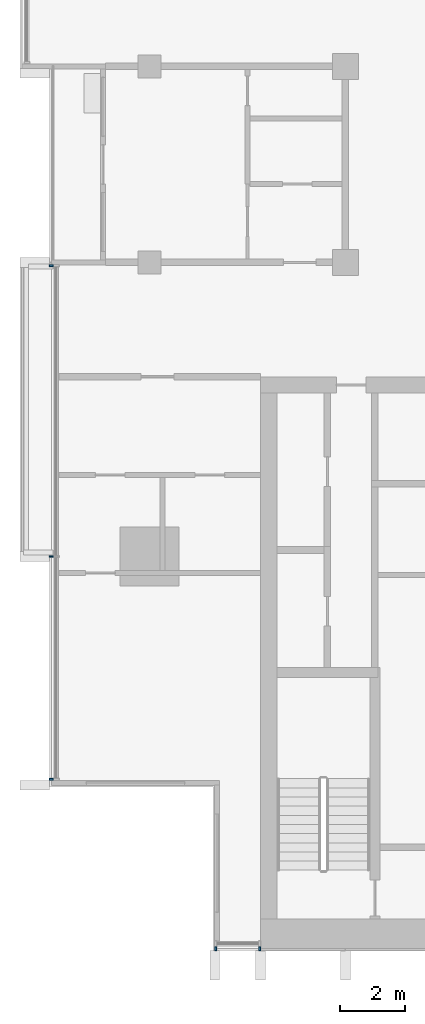
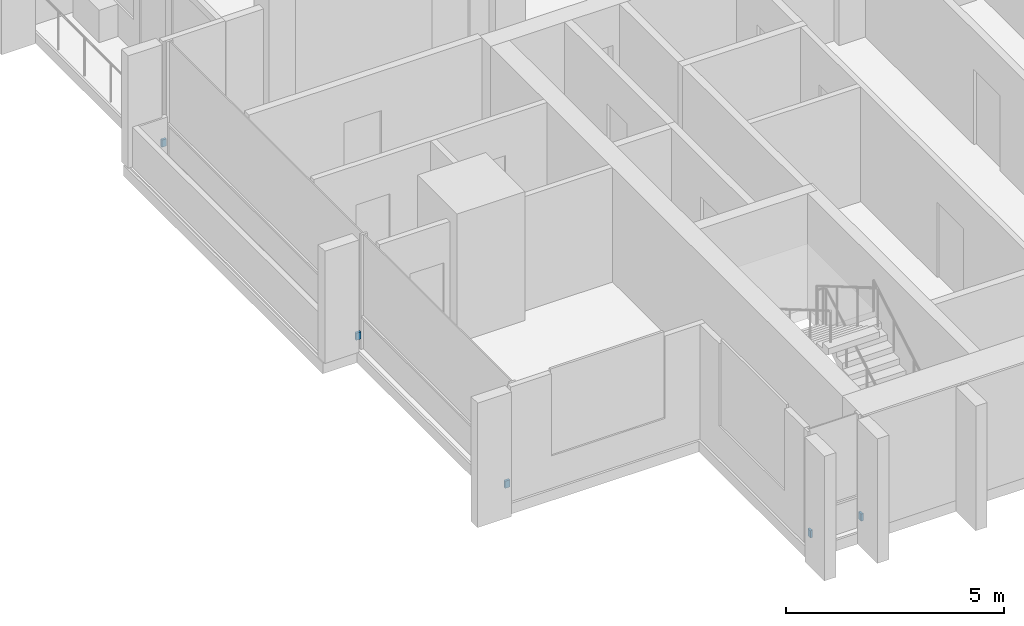
# One storey, part 12 of 16: 5 discrete accessories.
"""IFC4 building model written with IfcOpenShell, lengths in metres."""

import ifcopenshell
import ifcopenshell.guid

model = None  # the IFC model being written
_history = None  # IfcOwnerHistory: only IFC2X3 demands one
_inside = {}  # id of a spatial element -> (the spatial element, [elements in it])
_under = {}  # id of a project, library or spatial element -> (it, [spatial elements below it])
_declared = {}  # id of a project -> (the project, [libraries it declares])
_typed = {}  # id of a type object -> (the type object, [elements of that type])
_made_of = {}  # id of a material, layer set ... -> (it, [elements and type objects made of it])


def new_model(schema):
    """Start an empty IFC model of exactly this schema.

    Asked for "IFC4X3", IfcOpenShell would pick the latest addendum, in which some entities
    have other attributes; the version numbers below select the first issue.
    IFC2X3 requires an IfcOwnerHistory on every rooted entity: one is made here for all.
    """
    global model, _history
    if schema == "IFC4X3":
        model = ifcopenshell.file(schema_version=(4, 3, 0, 0))
    else:
        model = ifcopenshell.file(schema=schema)
    _inside.clear()
    _under.clear()
    _declared.clear()
    _typed.clear()
    _made_of.clear()
    _history = None
    if model.schema == "IFC2X3":
        org = make("IfcOrganization", Name="unknown")
        user = make(
            "IfcPersonAndOrganization",
            ThePerson=make("IfcPerson", FamilyName="unknown"),
            TheOrganization=org,
        )
        app = make(
            "IfcApplication",
            ApplicationDeveloper=org,
            Version="unknown",
            ApplicationFullName="unknown",
            ApplicationIdentifier="unknown",
        )
        _history = make(
            "IfcOwnerHistory",
            OwningUser=user,
            OwningApplication=app,
            ChangeAction="ADDED",
            CreationDate=0,
        )
    return model


def make(cls, **values):
    """One entity of the class cls with the attributes given. An attribute that is None is left unset."""
    return model.create_entity(
        cls, **{name: value for name, value in values.items() if value is not None}
    )


def rooted(cls, **values):
    """An entity with a GlobalId (a new one), such as an element, a storey or a relation."""
    return make(cls, GlobalId=ifcopenshell.guid.new(), OwnerHistory=_history, **values)


def si_unit(unit_type, name, prefix=None):
    """IfcSIUnit, for example si_unit("LENGTHUNIT", "METRE", prefix="MILLI")."""
    return make("IfcSIUnit", UnitType=unit_type, Prefix=prefix, Name=name)


def assignment(units):
    """IfcUnitAssignment: the units of a project."""
    return None if units is None else make("IfcUnitAssignment", Units=units)


def point(xyz):
    """IfcCartesianPoint."""
    return None if xyz is None else make("IfcCartesianPoint", Coordinates=xyz)


def direction(xyz):
    """IfcDirection."""
    return None if xyz is None else make("IfcDirection", DirectionRatios=xyz)


def frame(location, z_axis=None, x_axis=None):
    """IfcAxis2Placement3D, a coordinate frame: its origin and axes. An axis left out is left unset."""
    return make(
        "IfcAxis2Placement3D",
        Location=point(location),
        Axis=direction(z_axis),
        RefDirection=direction(x_axis),
    )


def frame_2d(location, x_axis=None):
    """IfcAxis2Placement2D, a coordinate frame in the plane: its origin and x axis."""
    return make(
        "IfcAxis2Placement2D", Location=point(location), RefDirection=direction(x_axis)
    )


def origin():
    """The frame at (0, 0, 0) with its axes left unset."""
    return frame((0.0, 0.0, 0.0))


def origin_2d():
    """The frame at (0, 0) in the plane with its x axis left unset."""
    return frame_2d((0.0, 0.0))


def place(relative_to, where):
    """IfcLocalPlacement: puts the frame where relative to a parent placement (None: the world)."""
    return make(
        "IfcLocalPlacement", PlacementRelTo=relative_to, RelativePlacement=where
    )


def context(
    kind, dimensions, precision=None, world=None, true_north=None, identifier=None
):
    """IfcGeometricRepresentationContext, for example the 3D "Model" context."""
    return make(
        "IfcGeometricRepresentationContext",
        ContextIdentifier=identifier,
        ContextType=kind,
        CoordinateSpaceDimension=dimensions,
        Precision=precision,
        WorldCoordinateSystem=world,
        TrueNorth=true_north,
    )


def subcontext(parent, identifier, kind, view, scale=None):
    """IfcGeometricRepresentationSubContext, for example "Body" below "Model"."""
    return make(
        "IfcGeometricRepresentationSubContext",
        ContextIdentifier=identifier,
        ContextType=kind,
        ParentContext=parent,
        TargetScale=scale,
        TargetView=view,
    )


def project(units=None, contexts=None):
    """IfcProject with its units and contexts."""
    return rooted(
        "IfcProject",
        Name="project",
        RepresentationContexts=contexts,
        UnitsInContext=assignment(units),
    )


def spatial(cls, under=None, at=None, **own):
    """A site, building, storey or space (cls), placed at a placement, below another one or the project."""
    s = rooted(cls, ObjectPlacement=at, **own)
    if under is not None:
        _under.setdefault(under.id(), (under, []))[1].append(s)
    return s


def profile(cls, at=None, kind="AREA", **sizes):
    """A parametric profile (cls). Its sizes go by their IFC names, for example OverallWidth=200.0."""
    return make(cls, ProfileType=kind, Position=at, **sizes)


def rectangle(**sizes):
    """IfcRectangleProfileDef."""
    return profile("IfcRectangleProfileDef", **sizes)


def extrude(swept, where, along, depth):
    """IfcExtrudedAreaSolid: the profile swept, set in the frame where, extruded along a direction by depth."""
    return make(
        "IfcExtrudedAreaSolid",
        SweptArea=swept,
        Position=where,
        ExtrudedDirection=direction(along),
        Depth=depth,
    )


def shape(context_of_items, identifier, shape_type, items):
    """IfcShapeRepresentation: the items that make up one representation, for example the "Body"."""
    return make(
        "IfcShapeRepresentation",
        ContextOfItems=context_of_items,
        RepresentationIdentifier=identifier,
        RepresentationType=shape_type,
        Items=items,
    )


def material(Name=None, Category=None):
    """IfcMaterial."""
    return make("IfcMaterial", Name=Name, Category=Category)


def made_of(thing, what):
    """Note that an element or type object is made of a material, layer set ...; save() writes the relation."""
    if what is not None:
        _made_of.setdefault(what.id(), (what, []))[1].append(thing)
    return thing


def type_object(cls, material=None, **own):
    """A type object (cls), such as IfcWallType, which elements share."""
    return made_of(rooted(cls, **own), material)


def element(
    cls,
    number,
    at=None,
    inside=None,
    cuts=None,
    type_object=None,
    material=None,
    context=None,
    identifier="Body",
    shape_type=None,
    held_by="IfcProductDefinitionShape",
    body=None,
    shapes=None,
    **own,
):
    """One element of the class cls, such as IfcWall. Its Tag is "e" and its number.

    at: its placement. inside: the storey or other place that contains it. cuts: it is an
    opening in that element (IfcRelVoidsElement). A single representation is given by context,
    identifier, shape_type and body (its items); several are given by shapes. held_by: the class
    of the entity that holds the representations. save() writes the other relations.
    """
    e = rooted(cls, Tag="e%d" % number, ObjectPlacement=at, **own)
    if body is not None:
        shapes = [shape(context, identifier, shape_type, body)]
    if shapes is not None:
        e.Representation = make(held_by, Representations=shapes)
    if inside is not None:
        _inside.setdefault(inside.id(), (inside, []))[1].append(e)
    if cuts is not None:
        rooted(
            "IfcRelVoidsElement", RelatingBuildingElement=cuts, RelatedOpeningElement=e
        )
    if type_object is not None:
        _typed.setdefault(type_object.id(), (type_object, []))[1].append(e)
    return made_of(e, material)


def aggregate(whole, parts):
    """IfcRelAggregates: a whole, such as a stair, and the parts it consists of."""
    return rooted("IfcRelAggregates", RelatingObject=whole, RelatedObjects=parts)


def save(model, path):
    """Write the relations noted so far, then the file.

    IfcRelAggregates (storeys below a building ...), IfcRelContainedInSpatialStructure (elements
    in a storey), IfcRelDefinesByType, IfcRelAssociatesMaterial and IfcRelDeclares: one each for
    every whole, place, type object, material and project.
    """
    for whole, parts in _under.values():
        aggregate(whole, parts)
    for where, things in _inside.values():
        rooted(
            "IfcRelContainedInSpatialStructure",
            RelatedElements=things,
            RelatingStructure=where,
        )
    for kind, things in _typed.values():
        rooted("IfcRelDefinesByType", RelatedObjects=things, RelatingType=kind)
    for what, things in _made_of.values():
        rooted("IfcRelAssociatesMaterial", RelatedObjects=things, RelatingMaterial=what)
    for by, libraries in _declared.values():
        rooted("IfcRelDeclares", RelatingContext=by, RelatedDefinitions=libraries)
    model.write(path)


model = new_model("IFC4")

# Units and contexts
model_context = context("Model", 3, precision=1e-05, world=origin(), true_north=direction((0.0, 1.0)))
body_context = subcontext(model_context, "Body", "Model", "MODEL_VIEW")
ifc_project = project(units=[si_unit("LENGTHUNIT", "METRE"), si_unit("AREAUNIT", "SQUARE_METRE"), si_unit("VOLUMEUNIT", "CUBIC_METRE"), si_unit("PLANEANGLEUNIT", "RADIAN"), si_unit("MASSUNIT", "GRAM", prefix="KILO")], contexts=[model_context])

# Site, building, storey
site_placement = place(None, origin())
site = spatial("IfcSite", under=ifc_project, at=site_placement, CompositionType="ELEMENT")
building_placement = place(site_placement, origin())
building = spatial("IfcBuilding", under=site, at=building_placement, Name="Finial Court Residences", CompositionType="ELEMENT")
storey_placement = place(building_placement, frame((0.0, 0.0, 295.10009765625)))
storey = spatial("IfcBuildingStorey", under=building, at=storey_placement, Name="L75", CompositionType="ELEMENT", Elevation=295.10009765625)

# Discrete accessories
ifc_material = material(Name="Stainless steel 316", Category="steel")
discrete_accessory_type = type_object("IfcDiscreteAccessoryType", Name="Fin bracket, stainless steel 60 x 122 x 200", PredefinedType="BRACKET", material=ifc_material)
for number, where, z_axis, x_axis, name in (
    (1, (-14.469970703125, -25.498779296875, 0.2998046875), (0.0, 0.0, 1.0), (1.0, 0.0, 0.0), "E-L75-FIN-S13-BRK"),
    (2, (-13.1298828125, -25.498779296875, 0.2998046875), (0.0, 0.0, 1.0), (1.0, 0.0, 0.0), "E-L75-FIN-S14-BRK"),
):
    element("IfcDiscreteAccessory", number, at=place(storey_placement, frame(where, z_axis=z_axis, x_axis=x_axis)), inside=storey, type_object=discrete_accessory_type, Name=name, PredefinedType="BRACKET", context=body_context, shape_type="SweptSolid", body=[
        extrude(rectangle(XDim=0.06005859375, YDim=0.12255859375, at=origin_2d()), origin(), (0.0, 0.0, 1.0), 0.199951171875),
    ])
for number, where, z_axis, x_axis, name in (
    (3, (-19.498779296875, -20.320068359375, 0.2998046875), (0.0, 0.0, 1.0), (1.0, 0.0, 0.0), "E-L75-FIN-W21-BRK"),
    (4, (-19.498779296875, -13.5, 0.2998046875), (0.0, 0.0, 1.0), (1.0, 0.0, 0.0), "E-L75-FIN-W22-BRK"),
    (5, (-19.498779296875, -4.60498046875, 0.2998046875), (0.0, 0.0, 1.0), (1.0, 0.0, 0.0), "E-L75-FIN-W23-BRK"),
):
    element("IfcDiscreteAccessory", number, at=place(storey_placement, frame(where, z_axis=z_axis, x_axis=x_axis)), inside=storey, type_object=discrete_accessory_type, Name=name, PredefinedType="BRACKET", context=body_context, shape_type="SweptSolid", body=[
        extrude(rectangle(XDim=0.12255859375, YDim=0.06005859375, at=origin_2d()), origin(), (0.0, 0.0, 1.0), 0.199951171875),
    ])

save(model, "model.ifc")
